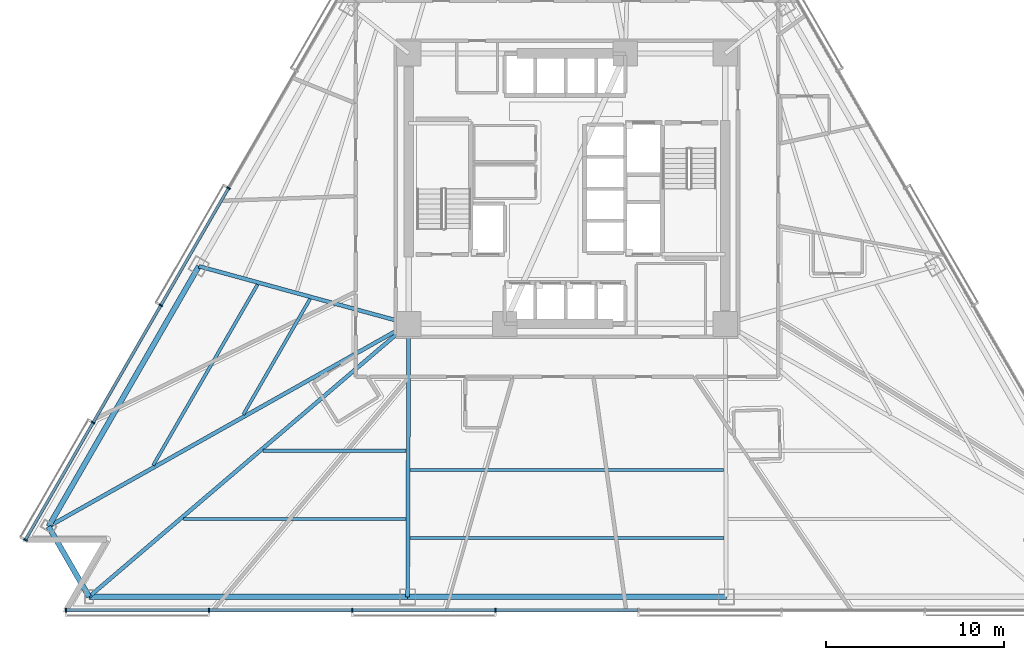
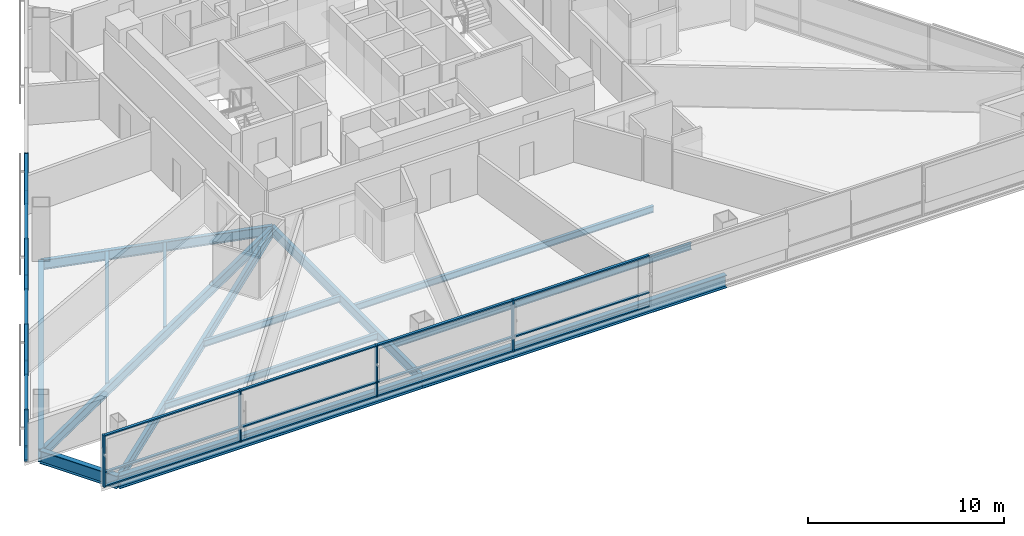
# One storey, part 2 of 17: 29 members, 14 beams, 2 elements without a shape of their own.
"""IFC4 building model written with IfcOpenShell, lengths in metres."""

from ifc_helpers import new_model, si_unit, direction, frame, origin, origin_2d, place, context, subcontext, project, spatial, rectangle, i_section, extrude, material, layer, layer_set, material_profile, profile_set, type_object, element, aggregate, save


model = new_model("IFC4")

# Units and contexts
model_context = context("Model", 3, precision=1e-05, world=origin(), true_north=direction((0.0, 1.0)))
body_context = subcontext(model_context, "Body", "Model", "MODEL_VIEW")
ifc_project = project(units=[si_unit("LENGTHUNIT", "METRE"), si_unit("AREAUNIT", "SQUARE_METRE"), si_unit("VOLUMEUNIT", "CUBIC_METRE"), si_unit("PLANEANGLEUNIT", "RADIAN"), si_unit("MASSUNIT", "GRAM", prefix="KILO")], contexts=[model_context])

# Site, building, storey
site_placement = place(None, origin())
site = spatial("IfcSite", under=ifc_project, at=site_placement, CompositionType="ELEMENT")
building_placement = place(site_placement, origin())
building = spatial("IfcBuilding", under=site, at=building_placement, Name="Tharavind Bronze Gate", CompositionType="ELEMENT")
storey_placement = place(building_placement, frame((0.0, 0.0, 35.25)))
storey = spatial("IfcBuildingStorey", under=building, at=storey_placement, Name="L07", CompositionType="ELEMENT", Elevation=35.25)

# Curtain wall, members
ifc_material_1 = material(Name="Anodised Bronze Aluminium", Category="aluminium")
ifc_layer = layer(ifc_material_1, 0.219970703125)
ifc_layer_set = layer_set([ifc_layer], Name="Anodised Bronze Aluminium")
curtain_wall_type = type_object("IfcCurtainWallType", Name="UNITISED CURTAIN WALL HOTEL", PredefinedType="USERDEFINED", material=ifc_layer_set)
curtain_wall_1_placement = place(storey_placement, origin())
curtain_wall_1 = element("IfcCurtainWall", 1, at=curtain_wall_1_placement, inside=storey, type_object=curtain_wall_type, Name="L07 unitised curtain wall hotel CW-L07-S1", ObjectType="UNITISED CURTAIN WALL", PredefinedType="USERDEFINED")
member_type_1 = type_object("IfcMemberType", Name="CURTAIN WALL MULLION 80X220", PredefinedType="MULLION", material=ifc_material_1)
member_1_placement = place(storey_placement, frame((-19.031982421875, 0.035888671875, 0.0), z_axis=(0.0, 0.0, 1.0), x_axis=(-0.500001511499, -0.866024531118, 0.0)))
member_1 = element("IfcMember", 2, at=member_1_placement, type_object=member_type_1, Name="CW-L07-S1 mullion 5", PredefinedType="MULLION", context=body_context, shape_type="SweptSolid", body=[
    extrude(rectangle(XDim=0.080078125, YDim=0.219970703125, at=origin_2d()), origin(), (0.0, 0.0, 1.0), 3.22509765625),
])
member_2_placement = place(storey_placement, frame((-22.83984375, -6.559814453125, 0.0), z_axis=(0.0, 0.0, 1.0), x_axis=(-0.500001511499, -0.866024531118, 0.0)))
member_2 = element("IfcMember", 3, at=member_2_placement, type_object=member_type_1, Name="CW-L07-S1 mullion 6", PredefinedType="MULLION", context=body_context, shape_type="SweptSolid", body=[
    extrude(rectangle(XDim=0.080078125, YDim=0.219970703125, at=origin_2d()), origin(), (0.0, 0.0, 1.0), 3.22509765625),
])
member_3_placement = place(storey_placement, frame((-26.647705078125, -13.1552734375, 0.0), z_axis=(0.0, 0.0, 1.0), x_axis=(-0.500001511499, -0.866024531118, 0.0)))
member_3 = element("IfcMember", 4, at=member_3_placement, type_object=member_type_1, Name="CW-L07-S1 mullion 7", PredefinedType="MULLION", context=body_context, shape_type="SweptSolid", body=[
    extrude(rectangle(XDim=0.080078125, YDim=0.219970703125, at=origin_2d()), origin(), (0.0, 0.0, 1.0), 3.22509765625),
])
member_4_placement = place(storey_placement, frame((-30.455810546875, -19.7509765625, 0.0), z_axis=(0.0, 0.0, 1.0), x_axis=(-0.500001511499, -0.866024531118, 0.0)))
member_4 = element("IfcMember", 5, at=member_4_placement, type_object=member_type_1, Name="CW-L07-S1 mullion 8", PredefinedType="MULLION", context=body_context, shape_type="SweptSolid", body=[
    extrude(rectangle(XDim=0.080078125, YDim=0.219970703125, at=origin_2d()), origin(), (0.0, 0.0, 1.0), 3.22509765625),
])

curtain_wall_2_placement = place(storey_placement, origin())
curtain_wall_2 = element("IfcCurtainWall", 6, at=curtain_wall_2_placement, inside=storey, type_object=curtain_wall_type, Name="L07 unitised curtain wall hotel CW-L07-S2", ObjectType="UNITISED CURTAIN WALL", PredefinedType="USERDEFINED")
member_5_placement = place(storey_placement, frame((-28.17578125, -23.699951171875, 0.0), z_axis=(0.0, 0.0, 1.0), x_axis=(1.0, 0.0, 0.0)))
member_5 = element("IfcMember", 7, at=member_5_placement, type_object=member_type_1, Name="CW-L07-S2 mullion 1", PredefinedType="MULLION", context=body_context, shape_type="SweptSolid", body=[
    extrude(rectangle(XDim=0.080078125, YDim=0.219970703125, at=origin_2d()), origin(), (0.0, 0.0, 1.0), 3.22509765625),
])
member_6_placement = place(storey_placement, frame((-20.12548828125, -23.699951171875, 0.0), z_axis=(0.0, 0.0, 1.0), x_axis=(1.0, 0.0, 0.0)))
member_6 = element("IfcMember", 8, at=member_6_placement, type_object=member_type_1, Name="CW-L07-S2 mullion 2", PredefinedType="MULLION", context=body_context, shape_type="SweptSolid", body=[
    extrude(rectangle(XDim=0.080078125, YDim=0.219970703125, at=origin_2d()), origin(), (0.0, 0.0, 1.0), 3.22509765625),
])
member_7_placement = place(storey_placement, frame((-12.0751953125, -23.699951171875, 0.0), z_axis=(0.0, 0.0, 1.0), x_axis=(1.0, 0.0, 0.0)))
member_7 = element("IfcMember", 9, at=member_7_placement, type_object=member_type_1, Name="CW-L07-S2 mullion 3", PredefinedType="MULLION", context=body_context, shape_type="SweptSolid", body=[
    extrude(rectangle(XDim=0.080078125, YDim=0.219970703125, at=origin_2d()), origin(), (0.0, 0.0, 1.0), 3.22509765625),
])
member_8_placement = place(storey_placement, frame((-4.025146484375, -23.699951171875, 0.0), z_axis=(0.0, 0.0, 1.0), x_axis=(1.0, 0.0, 0.0)))
member_8 = element("IfcMember", 10, at=member_8_placement, type_object=member_type_1, Name="CW-L07-S2 mullion 4", PredefinedType="MULLION", context=body_context, shape_type="SweptSolid", body=[
    extrude(rectangle(XDim=0.080078125, YDim=0.219970703125, at=origin_2d()), origin(), (0.0, 0.0, 1.0), 3.22509765625),
])

# Member
member_type_2 = type_object("IfcMemberType", Name="CURTAIN WALL TRANSOM 80X160", PredefinedType="USERDEFINED", material=ifc_material_1)
member_9_placement = place(storey_placement, frame((-20.935791015625, -3.261962890625, 0.0), z_axis=(0.0, 0.0, 1.0), x_axis=(-0.500001511499, -0.866024531118, 0.0)))
member_9 = element("IfcMember", 11, at=member_9_placement, type_object=member_type_2, Name="CW-L07-S1 transom TB5", ObjectType="TRANSOM", PredefinedType="USERDEFINED", context=body_context, shape_type="SweptSolid", body=[
    extrude(rectangle(XDim=7.5478515625, YDim=0.159912109375, at=origin_2d()), origin(), (0.0, 0.0, 1.0), 0.080078125),
])

member_10_placement = place(storey_placement, frame((-20.935791015625, -3.261962890625, 0.85986328125), z_axis=(0.0, 0.0, 1.0), x_axis=(-0.500001511499, -0.866024531118, 0.0)))
member_10 = element("IfcMember", 12, at=member_10_placement, type_object=member_type_2, Name="CW-L07-S1 transom TS5", ObjectType="TRANSOM", PredefinedType="USERDEFINED", context=body_context, shape_type="SweptSolid", body=[
    extrude(rectangle(XDim=7.5478515625, YDim=0.159912109375, at=origin_2d()), origin(), (0.0, 0.0, 1.0), 0.080078125),
])

member_11_placement = place(storey_placement, frame((-20.935791015625, -3.261962890625, 3.14501953125), z_axis=(0.0, 0.0, 1.0), x_axis=(-0.500001511499, -0.866024531118, 0.0)))
member_11 = element("IfcMember", 13, at=member_11_placement, type_object=member_type_2, Name="CW-L07-S1 transom TT5", ObjectType="TRANSOM", PredefinedType="USERDEFINED", context=body_context, shape_type="SweptSolid", body=[
    extrude(rectangle(XDim=7.5478515625, YDim=0.159912109375, at=origin_2d()), origin(), (0.0, 0.0, 1.0), 0.080078125),
])

member_12_placement = place(storey_placement, frame((-24.743896484375, -9.857421875, 0.0), z_axis=(0.0, 0.0, 1.0), x_axis=(-0.500001511499, -0.866024531118, 0.0)))
member_12 = element("IfcMember", 14, at=member_12_placement, type_object=member_type_2, Name="CW-L07-S1 transom TB6", ObjectType="TRANSOM", PredefinedType="USERDEFINED", context=body_context, shape_type="SweptSolid", body=[
    extrude(rectangle(XDim=7.5478515625, YDim=0.159912109375, at=origin_2d()), origin(), (0.0, 0.0, 1.0), 0.080078125),
])

member_13_placement = place(storey_placement, frame((-24.743896484375, -9.857421875, 0.85986328125), z_axis=(0.0, 0.0, 1.0), x_axis=(-0.500001511499, -0.866024531118, 0.0)))
member_13 = element("IfcMember", 15, at=member_13_placement, type_object=member_type_2, Name="CW-L07-S1 transom TS6", ObjectType="TRANSOM", PredefinedType="USERDEFINED", context=body_context, shape_type="SweptSolid", body=[
    extrude(rectangle(XDim=7.5478515625, YDim=0.159912109375, at=origin_2d()), origin(), (0.0, 0.0, 1.0), 0.080078125),
])

member_14_placement = place(storey_placement, frame((-24.743896484375, -9.857421875, 3.14501953125), z_axis=(0.0, 0.0, 1.0), x_axis=(-0.500001511499, -0.866024531118, 0.0)))
member_14 = element("IfcMember", 16, at=member_14_placement, type_object=member_type_2, Name="CW-L07-S1 transom TT6", ObjectType="TRANSOM", PredefinedType="USERDEFINED", context=body_context, shape_type="SweptSolid", body=[
    extrude(rectangle(XDim=7.5478515625, YDim=0.159912109375, at=origin_2d()), origin(), (0.0, 0.0, 1.0), 0.080078125),
])

member_15_placement = place(storey_placement, frame((-28.5517578125, -16.453125, 0.0), z_axis=(0.0, 0.0, 1.0), x_axis=(-0.500001511499, -0.866024531118, 0.0)))
member_15 = element("IfcMember", 17, at=member_15_placement, type_object=member_type_2, Name="CW-L07-S1 transom TB7", ObjectType="TRANSOM", PredefinedType="USERDEFINED", context=body_context, shape_type="SweptSolid", body=[
    extrude(rectangle(XDim=7.5478515625, YDim=0.159912109375, at=origin_2d()), origin(), (0.0, 0.0, 1.0), 0.080078125),
])

member_16_placement = place(storey_placement, frame((-28.5517578125, -16.453125, 0.85986328125), z_axis=(0.0, 0.0, 1.0), x_axis=(-0.500001511499, -0.866024531118, 0.0)))
member_16 = element("IfcMember", 18, at=member_16_placement, type_object=member_type_2, Name="CW-L07-S1 transom TS7", ObjectType="TRANSOM", PredefinedType="USERDEFINED", context=body_context, shape_type="SweptSolid", body=[
    extrude(rectangle(XDim=7.5478515625, YDim=0.159912109375, at=origin_2d()), origin(), (0.0, 0.0, 1.0), 0.080078125),
])

member_17_placement = place(storey_placement, frame((-28.5517578125, -16.453125, 3.14501953125), z_axis=(0.0, 0.0, 1.0), x_axis=(-0.500001511499, -0.866024531118, 0.0)))
member_17 = element("IfcMember", 19, at=member_17_placement, type_object=member_type_2, Name="CW-L07-S1 transom TT7", ObjectType="TRANSOM", PredefinedType="USERDEFINED", context=body_context, shape_type="SweptSolid", body=[
    extrude(rectangle(XDim=7.5478515625, YDim=0.159912109375, at=origin_2d()), origin(), (0.0, 0.0, 1.0), 0.080078125),
])

aggregate(curtain_wall_1, [member_1, member_2, member_3, member_4, member_9, member_10, member_11, member_12, member_13, member_14, member_15, member_16, member_17])

member_18_placement = place(storey_placement, frame((-24.150634765625, -23.699951171875, 0.0), z_axis=(0.0, 0.0, 1.0), x_axis=(1.0, 0.0, 0.0)))
member_18 = element("IfcMember", 20, at=member_18_placement, type_object=member_type_2, Name="CW-L07-S2 transom TB1", ObjectType="TRANSOM", PredefinedType="USERDEFINED", context=body_context, shape_type="SweptSolid", body=[
    extrude(rectangle(XDim=7.982177734375, YDim=0.159912109375, at=origin_2d()), origin(), (0.0, 0.0, 1.0), 0.080078125),
])

member_19_placement = place(storey_placement, frame((-24.150634765625, -23.699951171875, 0.85986328125), z_axis=(0.0, 0.0, 1.0), x_axis=(1.0, 0.0, 0.0)))
member_19 = element("IfcMember", 21, at=member_19_placement, type_object=member_type_2, Name="CW-L07-S2 transom TS1", ObjectType="TRANSOM", PredefinedType="USERDEFINED", context=body_context, shape_type="SweptSolid", body=[
    extrude(rectangle(XDim=7.982177734375, YDim=0.159912109375, at=origin_2d()), origin(), (0.0, 0.0, 1.0), 0.080078125),
])

member_20_placement = place(storey_placement, frame((-24.150634765625, -23.699951171875, 3.14501953125), z_axis=(0.0, 0.0, 1.0), x_axis=(1.0, 0.0, 0.0)))
member_20 = element("IfcMember", 22, at=member_20_placement, type_object=member_type_2, Name="CW-L07-S2 transom TT1", ObjectType="TRANSOM", PredefinedType="USERDEFINED", context=body_context, shape_type="SweptSolid", body=[
    extrude(rectangle(XDim=7.982177734375, YDim=0.159912109375, at=origin_2d()), origin(), (0.0, 0.0, 1.0), 0.080078125),
])

member_21_placement = place(storey_placement, frame((-16.1005859375, -23.699951171875, 0.0), z_axis=(0.0, 0.0, 1.0), x_axis=(1.0, 0.0, 0.0)))
member_21 = element("IfcMember", 23, at=member_21_placement, type_object=member_type_2, Name="CW-L07-S2 transom TB2", ObjectType="TRANSOM", PredefinedType="USERDEFINED", context=body_context, shape_type="SweptSolid", body=[
    extrude(rectangle(XDim=7.982177734375, YDim=0.159912109375, at=origin_2d()), origin(), (0.0, 0.0, 1.0), 0.080078125),
])

member_22_placement = place(storey_placement, frame((-16.1005859375, -23.699951171875, 0.85986328125), z_axis=(0.0, 0.0, 1.0), x_axis=(1.0, 0.0, 0.0)))
member_22 = element("IfcMember", 24, at=member_22_placement, type_object=member_type_2, Name="CW-L07-S2 transom TS2", ObjectType="TRANSOM", PredefinedType="USERDEFINED", context=body_context, shape_type="SweptSolid", body=[
    extrude(rectangle(XDim=7.982177734375, YDim=0.159912109375, at=origin_2d()), origin(), (0.0, 0.0, 1.0), 0.080078125),
])

member_23_placement = place(storey_placement, frame((-16.1005859375, -23.699951171875, 3.14501953125), z_axis=(0.0, 0.0, 1.0), x_axis=(1.0, 0.0, 0.0)))
member_23 = element("IfcMember", 25, at=member_23_placement, type_object=member_type_2, Name="CW-L07-S2 transom TT2", ObjectType="TRANSOM", PredefinedType="USERDEFINED", context=body_context, shape_type="SweptSolid", body=[
    extrude(rectangle(XDim=7.982177734375, YDim=0.159912109375, at=origin_2d()), origin(), (0.0, 0.0, 1.0), 0.080078125),
])

member_24_placement = place(storey_placement, frame((-8.05029296875, -23.699951171875, 0.0), z_axis=(0.0, 0.0, 1.0), x_axis=(1.0, 0.0, 0.0)))
member_24 = element("IfcMember", 26, at=member_24_placement, type_object=member_type_2, Name="CW-L07-S2 transom TB3", ObjectType="TRANSOM", PredefinedType="USERDEFINED", context=body_context, shape_type="SweptSolid", body=[
    extrude(rectangle(XDim=7.982177734375, YDim=0.159912109375, at=origin_2d()), origin(), (0.0, 0.0, 1.0), 0.080078125),
])

member_25_placement = place(storey_placement, frame((-8.05029296875, -23.699951171875, 0.85986328125), z_axis=(0.0, 0.0, 1.0), x_axis=(1.0, 0.0, 0.0)))
member_25 = element("IfcMember", 27, at=member_25_placement, type_object=member_type_2, Name="CW-L07-S2 transom TS3", ObjectType="TRANSOM", PredefinedType="USERDEFINED", context=body_context, shape_type="SweptSolid", body=[
    extrude(rectangle(XDim=7.982177734375, YDim=0.159912109375, at=origin_2d()), origin(), (0.0, 0.0, 1.0), 0.080078125),
])

member_26_placement = place(storey_placement, frame((-8.05029296875, -23.699951171875, 3.14501953125), z_axis=(0.0, 0.0, 1.0), x_axis=(1.0, 0.0, 0.0)))
member_26 = element("IfcMember", 28, at=member_26_placement, type_object=member_type_2, Name="CW-L07-S2 transom TT3", ObjectType="TRANSOM", PredefinedType="USERDEFINED", context=body_context, shape_type="SweptSolid", body=[
    extrude(rectangle(XDim=7.982177734375, YDim=0.159912109375, at=origin_2d()), origin(), (0.0, 0.0, 1.0), 0.080078125),
])

member_27_placement = place(storey_placement, frame((0.0, -23.699951171875, 0.0), z_axis=(0.0, 0.0, 1.0), x_axis=(1.0, 0.0, 0.0)))
member_27 = element("IfcMember", 29, at=member_27_placement, type_object=member_type_2, Name="CW-L07-S2 transom TB4", ObjectType="TRANSOM", PredefinedType="USERDEFINED", context=body_context, shape_type="SweptSolid", body=[
    extrude(rectangle(XDim=7.982177734375, YDim=0.159912109375, at=origin_2d()), origin(), (0.0, 0.0, 1.0), 0.080078125),
])

member_28_placement = place(storey_placement, frame((0.0, -23.699951171875, 0.85986328125), z_axis=(0.0, 0.0, 1.0), x_axis=(1.0, 0.0, 0.0)))
member_28 = element("IfcMember", 30, at=member_28_placement, type_object=member_type_2, Name="CW-L07-S2 transom TS4", ObjectType="TRANSOM", PredefinedType="USERDEFINED", context=body_context, shape_type="SweptSolid", body=[
    extrude(rectangle(XDim=7.982177734375, YDim=0.159912109375, at=origin_2d()), origin(), (0.0, 0.0, 1.0), 0.080078125),
])

member_29_placement = place(storey_placement, frame((0.0, -23.699951171875, 3.14501953125), z_axis=(0.0, 0.0, 1.0), x_axis=(1.0, 0.0, 0.0)))
member_29 = element("IfcMember", 31, at=member_29_placement, type_object=member_type_2, Name="CW-L07-S2 transom TT4", ObjectType="TRANSOM", PredefinedType="USERDEFINED", context=body_context, shape_type="SweptSolid", body=[
    extrude(rectangle(XDim=7.982177734375, YDim=0.159912109375, at=origin_2d()), origin(), (0.0, 0.0, 1.0), 0.080078125),
])

aggregate(curtain_wall_2, [member_5, member_6, member_7, member_8, member_18, member_19, member_20, member_21, member_22, member_23, member_24, member_25, member_26, member_27, member_28, member_29])

# Beams
ifc_material_2 = material(Name="Steel S355", Category="steel")
ifc_material_profile_1 = material_profile(ifc_material_2, i_section(OverallWidth=0.219970703125, OverallDepth=0.60009765625, WebThickness=0.011962890625, FlangeThickness=0.01904296875, at=origin_2d()), Name="IPE600")
ifc_profile_set_1 = profile_set([ifc_material_profile_1], Name="Steel S355")
beam_type_1 = type_object("IfcBeamType", Name="PRIMARY GIRDER IPE600", PredefinedType="USERDEFINED", material=ifc_profile_set_1)
beam_1_placement = place(storey_placement, frame((-20.70458984375, -4.361083984375, -0.47509765625), z_axis=(0.96435718827, -0.264603880228, 0.0), x_axis=(0.264603880228, 0.96435718827, 0.0)))
element("IfcBeam", 32, at=beam_1_placement, inside=storey, type_object=beam_type_1, Name="L07 primary girder ipe600 BM-L07-RAD03", ObjectType="GIRDER", PredefinedType="USERDEFINED", context=body_context, shape_type="SweptSolid", body=[
    extrude(i_section(OverallWidth=0.219970703125, OverallDepth=0.60009765625, WebThickness=0.011962890625, FlangeThickness=0.01904296875, at=origin_2d()), origin(), (0.0, 0.0, 1.0), 12.240966796875),
])
beam_2_placement = place(storey_placement, frame((-29.15673828125, -19.0009765625, -0.47509765625), z_axis=(0.871457703454, 0.490470662824, 0.0), x_axis=(-0.490470662824, 0.871457703454, 0.0)))
element("IfcBeam", 33, at=beam_2_placement, inside=storey, type_object=beam_type_1, Name="L07 primary girder ipe600 BM-L07-RAD04", ObjectType="GIRDER", PredefinedType="USERDEFINED", context=body_context, shape_type="SweptSolid", body=[
    extrude(i_section(OverallWidth=0.219970703125, OverallDepth=0.60009765625, WebThickness=0.011962890625, FlangeThickness=0.01904296875, at=origin_2d()), origin(), (0.0, 0.0, 1.0), 23.244873046875),
])
beam_3_placement = place(storey_placement, frame((-26.876708984375, -22.949951171875, -0.47509765625), z_axis=(0.76048513475, 0.649355341723, 0.0), x_axis=(-0.649355341723, 0.76048513475, 0.0)))
element("IfcBeam", 34, at=beam_3_placement, inside=storey, type_object=beam_type_1, Name="L07 primary girder ipe600 BM-L07-RAD05", ObjectType="GIRDER", PredefinedType="USERDEFINED", context=body_context, shape_type="SweptSolid", body=[
    extrude(i_section(OverallWidth=0.219970703125, OverallDepth=0.60009765625, WebThickness=0.011962890625, FlangeThickness=0.01904296875, at=origin_2d()), origin(), (0.0, 0.0, 1.0), 23.638671875),
])
beam_4_placement = place(storey_placement, frame((-8.958984375, -22.949951171875, -0.47509765625), z_axis=(0.003849000484, 0.99999259257, 0.0), x_axis=(-0.99999259257, 0.003849000484, 0.0)))
element("IfcBeam", 35, at=beam_4_placement, inside=storey, type_object=beam_type_1, Name="L07 primary girder ipe600 BM-L07-RAD06", ObjectType="GIRDER", PredefinedType="USERDEFINED", context=body_context, shape_type="SweptSolid", body=[
    extrude(i_section(OverallWidth=0.219970703125, OverallDepth=0.60009765625, WebThickness=0.011962890625, FlangeThickness=0.01904296875, at=origin_2d()), origin(), (0.0, 0.0, 1.0), 15.349853515625),
])
ifc_material_profile_2 = material_profile(ifc_material_2, i_section(OverallWidth=0.300048828125, OverallDepth=0.800048828125, WebThickness=0.017578125, FlangeThickness=0.032958984375, at=origin_2d()), Name="HE800B")
ifc_profile_set_2 = profile_set([ifc_material_profile_2], Name="Steel S355")
beam_type_2 = type_object("IfcBeamType", Name="RING GIRDER HE800B", PredefinedType="USERDEFINED", material=ifc_profile_set_2)
beam_5_placement = place(storey_placement, frame((-20.70458984375, -4.361083984375, -0.574951171875), z_axis=(-0.4999912383, -0.866030462295, 0.0), x_axis=(0.866030462295, -0.4999912383, 0.0)))
element("IfcBeam", 36, at=beam_5_placement, inside=storey, type_object=beam_type_2, Name="L07 ring girder he800b BM-L07-PRG03", ObjectType="GIRDER", PredefinedType="USERDEFINED", context=body_context, shape_type="SweptSolid", body=[
    extrude(i_section(OverallWidth=0.300048828125, OverallDepth=0.800048828125, WebThickness=0.017578125, FlangeThickness=0.032958984375, at=origin_2d()), origin(), (0.0, 0.0, 1.0), 16.904541015625),
])
beam_6_placement = place(storey_placement, frame((-29.15673828125, -19.0009765625, -0.574951171875), z_axis=(0.500014431597, -0.866017071537, 0.0), x_axis=(0.866017071537, 0.500014431597, 0.0)))
element("IfcBeam", 37, at=beam_6_placement, inside=storey, type_object=beam_type_2, Name="L07 ring girder he800b BM-L07-PRG04", ObjectType="GIRDER", PredefinedType="USERDEFINED", context=body_context, shape_type="SweptSolid", body=[
    extrude(i_section(OverallWidth=0.300048828125, OverallDepth=0.800048828125, WebThickness=0.017578125, FlangeThickness=0.032958984375, at=origin_2d()), origin(), (0.0, 0.0, 1.0), 4.559814453125),
])
beam_7_placement = place(storey_placement, frame((-26.876708984375, -22.949951171875, -0.574951171875), z_axis=(1.0, 0.0, 0.0), x_axis=(0.0, 1.0, 0.0)))
element("IfcBeam", 38, at=beam_7_placement, inside=storey, type_object=beam_type_2, Name="L07 ring girder he800b BM-L07-PRG05", ObjectType="GIRDER", PredefinedType="USERDEFINED", context=body_context, shape_type="SweptSolid", body=[
    extrude(i_section(OverallWidth=0.300048828125, OverallDepth=0.800048828125, WebThickness=0.017578125, FlangeThickness=0.032958984375, at=origin_2d()), origin(), (0.0, 0.0, 1.0), 17.917724609375),
])
beam_8_placement = place(storey_placement, frame((-8.958984375, -22.949951171875, -0.574951171875), z_axis=(1.0, 0.0, 0.0), x_axis=(0.0, 1.0, 0.0)))
element("IfcBeam", 39, at=beam_8_placement, inside=storey, type_object=beam_type_2, Name="L07 ring girder he800b BM-L07-PRG06", ObjectType="GIRDER", PredefinedType="USERDEFINED", context=body_context, shape_type="SweptSolid", body=[
    extrude(i_section(OverallWidth=0.300048828125, OverallDepth=0.800048828125, WebThickness=0.017578125, FlangeThickness=0.032958984375, at=origin_2d()), origin(), (0.0, 0.0, 1.0), 17.91796875),
])
ifc_material_profile_3 = material_profile(ifc_material_2, i_section(OverallWidth=0.179931640625, OverallDepth=0.39990234375, WebThickness=0.008544921875, FlangeThickness=0.013427734375, at=origin_2d()), Name="IPE400")
ifc_profile_set_3 = profile_set([ifc_material_profile_3], Name="Steel S355")
beam_type_3 = type_object("IfcBeamType", Name="SECONDARY FLOOR JOIST IPE400", PredefinedType="JOIST", material=ifc_profile_set_3)
beam_9_placement = place(storey_placement, frame((-14.447998046875, -6.19580078125, -0.375), z_axis=(-0.499995879736, -0.866027782607, 0.0), x_axis=(0.866027782607, -0.499995879736, 0.0)))
element("IfcBeam", 40, at=beam_9_placement, inside=storey, type_object=beam_type_3, Name="L07 secondary floor joist ipe400 BM-L07-JSTA03", PredefinedType="JOIST", context=body_context, shape_type="SweptSolid", body=[
    extrude(i_section(OverallWidth=0.179931640625, OverallDepth=0.39990234375, WebThickness=0.008544921875, FlangeThickness=0.013427734375, at=origin_2d()), origin(), (0.0, 0.0, 1.0), 7.52294921875),
])
beam_10_placement = place(storey_placement, frame((-17.399169921875, -5.38623046875, -0.375), z_axis=(-0.499996459651, -0.866027447796, 0.0), x_axis=(0.866027447796, -0.499996459651, 0.0)))
element("IfcBeam", 41, at=beam_10_placement, inside=storey, type_object=beam_type_3, Name="L07 secondary floor joist ipe400 BM-L07-JSTB03", PredefinedType="JOIST", context=body_context, shape_type="SweptSolid", body=[
    extrude(i_section(OverallWidth=0.179931640625, OverallDepth=0.39990234375, WebThickness=0.008544921875, FlangeThickness=0.013427734375, at=origin_2d()), origin(), (0.0, 0.0, 1.0), 11.7490234375),
])
beam_11_placement = place(storey_placement, frame((-17.085693359375, -14.73779296875, -0.375), z_axis=(1.0, 0.0, 0.0), x_axis=(0.0, 1.0, 0.0)))
element("IfcBeam", 42, at=beam_11_placement, inside=storey, type_object=beam_type_3, Name="L07 secondary floor joist ipe400 BM-L07-JSTA05", PredefinedType="JOIST", context=body_context, shape_type="SweptSolid", body=[
    extrude(i_section(OverallWidth=0.179931640625, OverallDepth=0.39990234375, WebThickness=0.008544921875, FlangeThickness=0.013427734375, at=origin_2d()), origin(), (0.0, 0.0, 1.0), 8.044189453125),
])
beam_12_placement = place(storey_placement, frame((-21.580078125, -18.5751953125, -0.375), z_axis=(1.0, 0.0, 0.0), x_axis=(0.0, 1.0, 0.0)))
element("IfcBeam", 43, at=beam_12_placement, inside=storey, type_object=beam_type_3, Name="L07 secondary floor joist ipe400 BM-L07-JSTB05", PredefinedType="JOIST", context=body_context, shape_type="SweptSolid", body=[
    extrude(i_section(OverallWidth=0.179931640625, OverallDepth=0.39990234375, WebThickness=0.008544921875, FlangeThickness=0.013427734375, at=origin_2d()), origin(), (0.0, 0.0, 1.0), 12.52392578125),
])
beam_13_placement = place(storey_placement, frame((-8.8173828125, -15.812255859375, -0.375), z_axis=(1.0, 0.0, 0.0), x_axis=(0.0, 1.0, 0.0)))
element("IfcBeam", 44, at=beam_13_placement, inside=storey, type_object=beam_type_3, Name="L07 secondary floor joist ipe400 BM-L07-JSTA06", PredefinedType="JOIST", context=body_context, shape_type="SweptSolid", body=[
    extrude(i_section(OverallWidth=0.179931640625, OverallDepth=0.39990234375, WebThickness=0.008544921875, FlangeThickness=0.013427734375, at=origin_2d()), origin(), (0.0, 0.0, 1.0), 17.634765625),
])
beam_14_placement = place(storey_placement, frame((-8.832275390625, -19.64990234375, -0.375), z_axis=(1.0, 0.0, 0.0), x_axis=(0.0, 1.0, 0.0)))
element("IfcBeam", 45, at=beam_14_placement, inside=storey, type_object=beam_type_3, Name="L07 secondary floor joist ipe400 BM-L07-JSTB06", PredefinedType="JOIST", context=body_context, shape_type="SweptSolid", body=[
    extrude(i_section(OverallWidth=0.179931640625, OverallDepth=0.39990234375, WebThickness=0.008544921875, FlangeThickness=0.013427734375, at=origin_2d()), origin(), (0.0, 0.0, 1.0), 17.66455078125),
])

save(model, "model.ifc")
